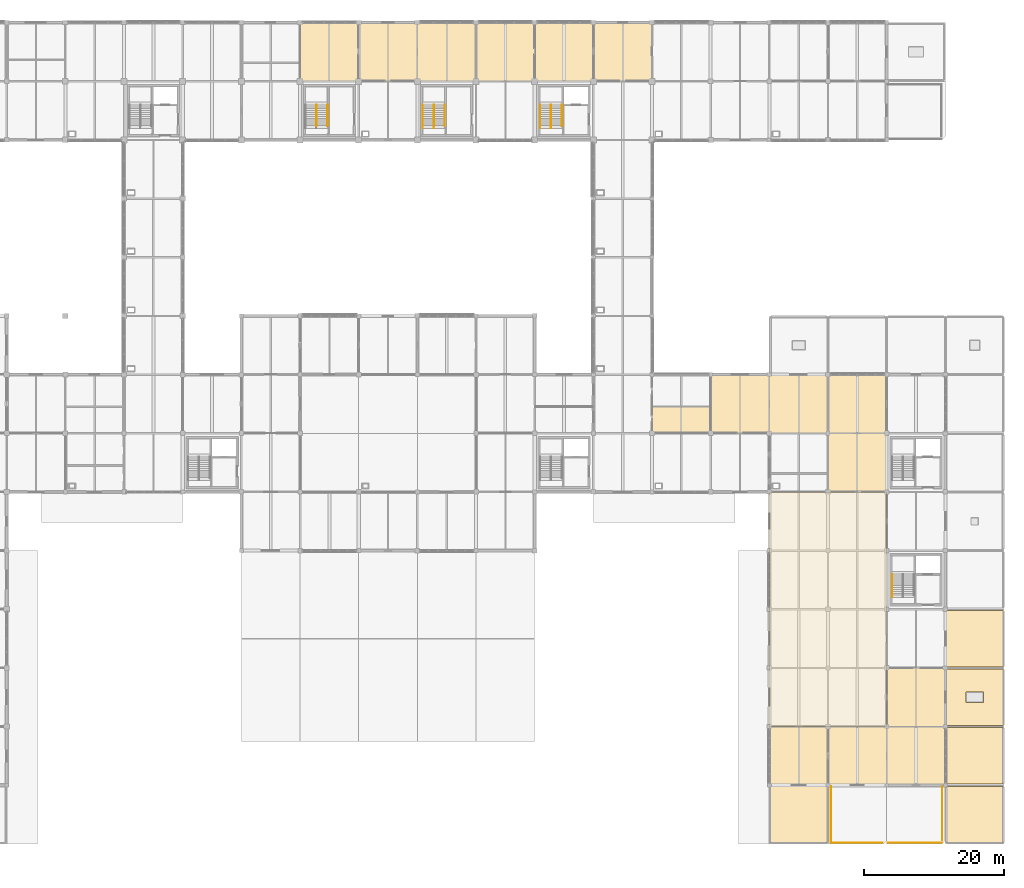
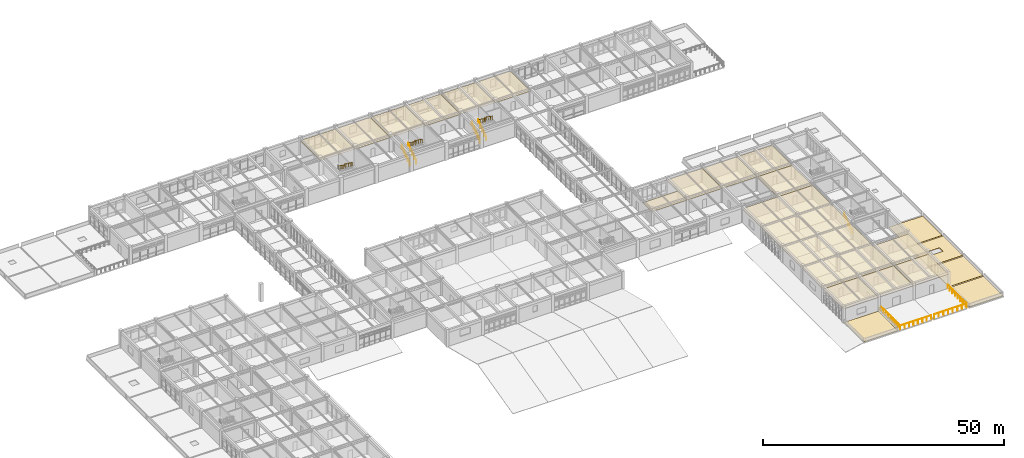
# One storey, part 77 of 78: 21 coverings, 15 railings.
"""IFC4 building model written with IfcOpenShell, lengths in metres."""

from ifc_helpers import new_model, si_unit, direction, frame, origin, origin_2d, place, context, subcontext, project, spatial, polyline, circle, outline, extrude, material, layer, layer_set, type_object, element, save


model = new_model("IFC4")

# Units and contexts
model_context = context("Model", 3, precision=1e-05, world=origin(), true_north=direction((0.0, 1.0)))
body_context = subcontext(model_context, "Body", "Model", "MODEL_VIEW")
ifc_project = project(units=[si_unit("LENGTHUNIT", "METRE"), si_unit("AREAUNIT", "SQUARE_METRE"), si_unit("VOLUMEUNIT", "CUBIC_METRE"), si_unit("PLANEANGLEUNIT", "RADIAN"), si_unit("MASSUNIT", "GRAM", prefix="KILO")], contexts=[model_context])

# Site, building, storey
site_placement = place(None, origin())
site = spatial("IfcSite", under=ifc_project, at=site_placement, CompositionType="ELEMENT")
building_placement = place(site_placement, origin())
building = spatial("IfcBuilding", under=site, at=building_placement, Name="Porcellanite Civic Hall", CompositionType="ELEMENT")
storey_placement = place(building_placement, frame((0.0, 0.0, 10.260009765625)))
storey = spatial("IfcBuildingStorey", under=building, at=storey_placement, Name="L02", CompositionType="ELEMENT", Elevation=10.260009765625)

# Coverings
ifc_material_1 = material(Name="Perforated acoustic mineral-fibre and spotted-gum batten ceiling")
ifc_layer_1 = layer(ifc_material_1, 0.034912109375)
ifc_layer_set_1 = layer_set([ifc_layer_1], Name="Perforated acoustic mineral-fibre and spotted-gum batten ceiling")
covering_type_1 = type_object("IfcCoveringType", Name="COV-CL2", PredefinedType="CEILING", material=ifc_layer_set_1)
covering_1_placement = place(storey_placement, frame((0.0, 0.0, 3.3349609375)))
element("IfcCovering", 1, at=covering_1_placement, inside=storey, type_object=covering_type_1, Name="Acoustic ceiling Parliamentary Research Suite L02-A", PredefinedType="CEILING", context=body_context, shape_type="SweptSolid", body=[
    extrude(outline(polyline([(126.010009765625, 58.81005859375), (134.389892578125, 58.81005859375), (134.389892578125, 62.590087890625), (126.010009765625, 62.590087890625), (126.010009765625, 58.81005859375)])), origin(), (0.0, 0.0, 1.0), 0.034912109375),
])
covering_2_placement = place(storey_placement, frame((0.0, 0.0, 3.3349609375)))
element("IfcCovering", 2, at=covering_2_placement, inside=storey, type_object=covering_type_1, Name="Acoustic ceiling Municipal Infrastructure Office L02-44", PredefinedType="CEILING", context=body_context, shape_type="SweptSolid", body=[
    extrude(outline(polyline([(75.610107421875, 109.2099609375), (83.989990234375, 109.2099609375), (83.989990234375, 117.590087890625), (75.610107421875, 117.590087890625), (75.610107421875, 109.2099609375)])), origin(), (0.0, 0.0, 1.0), 0.034912109375),
])
covering_3_placement = place(storey_placement, frame((0.0, 0.0, 3.3349609375)))
element("IfcCovering", 3, at=covering_3_placement, inside=storey, type_object=covering_type_1, Name="Acoustic ceiling Transport Planning Office L02-47", PredefinedType="CEILING", context=body_context, shape_type="SweptSolid", body=[
    extrude(outline(polyline([(84.010009765625, 109.2099609375), (92.389892578125, 109.2099609375), (92.389892578125, 117.590087890625), (84.010009765625, 117.590087890625), (84.010009765625, 109.2099609375)])), origin(), (0.0, 0.0, 1.0), 0.034912109375),
])
covering_4_placement = place(storey_placement, frame((0.0, 0.0, 3.3349609375)))
element("IfcCovering", 4, at=covering_4_placement, inside=storey, type_object=covering_type_1, Name="Acoustic ceiling Parks and Tropical Forestry Office L02-49", PredefinedType="CEILING", context=body_context, shape_type="SweptSolid", body=[
    extrude(outline(polyline([(92.409912109375, 109.2099609375), (100.7900390625, 109.2099609375), (100.7900390625, 117.590087890625), (92.409912109375, 117.590087890625), (92.409912109375, 109.2099609375)])), origin(), (0.0, 0.0, 1.0), 0.034912109375),
])
covering_5_placement = place(storey_placement, frame((0.0, 0.0, 3.3349609375)))
element("IfcCovering", 5, at=covering_5_placement, inside=storey, type_object=covering_type_1, Name="Acoustic ceiling Parks and Tropical Forestry Office L02-54", PredefinedType="CEILING", context=body_context, shape_type="SweptSolid", body=[
    extrude(outline(polyline([(100.81005859375, 109.2099609375), (109.18994140625, 109.2099609375), (109.18994140625, 117.590087890625), (100.81005859375, 117.590087890625), (100.81005859375, 109.2099609375)])), origin(), (0.0, 0.0, 1.0), 0.034912109375),
])
covering_6_placement = place(storey_placement, frame((0.0, 0.0, 3.3349609375)))
element("IfcCovering", 6, at=covering_6_placement, inside=storey, type_object=covering_type_1, Name="Acoustic ceiling Parks and Tropical Forestry Office L02-55", PredefinedType="CEILING", context=body_context, shape_type="SweptSolid", body=[
    extrude(outline(polyline([(109.2099609375, 109.2099609375), (117.590087890625, 109.2099609375), (117.590087890625, 117.590087890625), (109.2099609375, 117.590087890625), (109.2099609375, 109.2099609375)])), origin(), (0.0, 0.0, 1.0), 0.034912109375),
])
covering_7_placement = place(storey_placement, frame((0.0, 0.0, 3.3349609375)))
element("IfcCovering", 7, at=covering_7_placement, inside=storey, type_object=covering_type_1, Name="Acoustic ceiling Transport Planning Office L02-63", PredefinedType="CEILING", context=body_context, shape_type="SweptSolid", body=[
    extrude(outline(polyline([(117.610107421875, 109.2099609375), (125.989990234375, 109.2099609375), (125.989990234375, 117.590087890625), (117.610107421875, 117.590087890625), (117.610107421875, 109.2099609375)])), origin(), (0.0, 0.0, 1.0), 0.034912109375),
])
covering_8_placement = place(storey_placement, frame((0.0, 0.0, 3.3349609375)))
element("IfcCovering", 8, at=covering_8_placement, inside=storey, type_object=covering_type_1, Name="Acoustic ceiling Constitutional Papers Office L02-67", PredefinedType="CEILING", context=body_context, shape_type="SweptSolid", body=[
    extrude(outline(polyline([(134.409912109375, 58.81005859375), (142.7900390625, 58.81005859375), (142.7900390625, 67.18994140625), (134.409912109375, 67.18994140625), (134.409912109375, 58.81005859375)])), origin(), (0.0, 0.0, 1.0), 0.034912109375),
])
covering_9_placement = place(storey_placement, frame((0.0, 0.0, 3.3349609375)))
element("IfcCovering", 9, at=covering_9_placement, inside=storey, type_object=covering_type_1, Name="Acoustic ceiling Members Research Office L02-69", PredefinedType="CEILING", context=body_context, shape_type="SweptSolid", body=[
    extrude(outline(polyline([(142.81005859375, 8.409912109375), (151.18994140625, 8.409912109375), (151.18994140625, 16.7900390625), (142.81005859375, 16.7900390625), (142.81005859375, 8.409912109375)])), origin(), (0.0, 0.0, 1.0), 0.034912109375),
])
covering_10_placement = place(storey_placement, frame((0.0, 0.0, 3.3349609375)))
element("IfcCovering", 10, at=covering_10_placement, inside=storey, type_object=covering_type_1, Name="Acoustic ceiling Constitutional Papers Office L02-70", PredefinedType="CEILING", context=body_context, shape_type="SweptSolid", body=[
    extrude(outline(polyline([(142.81005859375, 58.81005859375), (151.18994140625, 58.81005859375), (151.18994140625, 67.18994140625), (142.81005859375, 67.18994140625), (142.81005859375, 58.81005859375)])), origin(), (0.0, 0.0, 1.0), 0.034912109375),
])
covering_11_placement = place(storey_placement, frame((0.0, 0.0, 3.3349609375)))
element("IfcCovering", 11, at=covering_11_placement, inside=storey, type_object=covering_type_1, Name="Acoustic ceiling Parliamentary Research Suite L02-73", PredefinedType="CEILING", context=body_context, shape_type="SweptSolid", body=[
    extrude(outline(polyline([(151.2099609375, 8.409912109375), (159.590087890625, 8.409912109375), (159.590087890625, 16.7900390625), (151.2099609375, 16.7900390625), (151.2099609375, 8.409912109375)])), origin(), (0.0, 0.0, 1.0), 0.034912109375),
])
covering_12_placement = place(storey_placement, frame((0.0, 0.0, 3.3349609375)))
element("IfcCovering", 12, at=covering_12_placement, inside=storey, type_object=covering_type_1, Name="Acoustic ceiling Constitutional Papers Office L02-74", PredefinedType="CEILING", context=body_context, shape_type="SweptSolid", body=[
    extrude(outline(polyline([(151.2099609375, 50.409912109375), (159.590087890625, 50.409912109375), (159.590087890625, 58.7900390625), (151.2099609375, 58.7900390625), (151.2099609375, 50.409912109375)])), origin(), (0.0, 0.0, 1.0), 0.034912109375),
])
covering_13_placement = place(storey_placement, frame((0.0, 0.0, 3.3349609375)))
element("IfcCovering", 13, at=covering_13_placement, inside=storey, type_object=covering_type_1, Name="Acoustic ceiling Parliamentary Research Suite L02-75", PredefinedType="CEILING", context=body_context, shape_type="SweptSolid", body=[
    extrude(outline(polyline([(151.2099609375, 58.81005859375), (159.590087890625, 58.81005859375), (159.590087890625, 67.18994140625), (151.2099609375, 67.18994140625), (151.2099609375, 58.81005859375)])), origin(), (0.0, 0.0, 1.0), 0.034912109375),
])
covering_14_placement = place(storey_placement, frame((0.0, 0.0, 3.3349609375)))
element("IfcCovering", 14, at=covering_14_placement, inside=storey, type_object=covering_type_1, Name="Acoustic ceiling Constitutional Papers Office L02-78", PredefinedType="CEILING", context=body_context, shape_type="SweptSolid", body=[
    extrude(outline(polyline([(159.610107421875, 8.409912109375), (167.989990234375, 8.409912109375), (167.989990234375, 16.7900390625), (159.610107421875, 16.7900390625), (159.610107421875, 8.409912109375)])), origin(), (0.0, 0.0, 1.0), 0.034912109375),
])
covering_15_placement = place(storey_placement, frame((0.0, 0.0, 3.3349609375)))
element("IfcCovering", 15, at=covering_15_placement, inside=storey, type_object=covering_type_1, Name="Acoustic ceiling Parliamentary Research Suite L02-79", PredefinedType="CEILING", context=body_context, shape_type="SweptSolid", body=[
    extrude(outline(polyline([(159.610107421875, 16.81005859375), (167.989990234375, 16.81005859375), (167.989990234375, 25.18994140625), (159.610107421875, 25.18994140625), (159.610107421875, 16.81005859375)])), origin(), (0.0, 0.0, 1.0), 0.034912109375),
])
ifc_material_2 = material(Name="Perforated acoustic mineral-fibre and spotted-gum batten ceiling")
ifc_layer_2 = layer(ifc_material_2, 0.044921875)
ifc_layer_set_2 = layer_set([ifc_layer_2], Name="Perforated acoustic mineral-fibre and spotted-gum batten ceiling")
covering_type_2 = type_object("IfcCoveringType", Name="COV-CL3", PredefinedType="CEILING", material=ifc_layer_set_2)
covering_16_placement = place(storey_placement, frame((0.0, 0.0, 3.324951171875)))
element("IfcCovering", 16, at=covering_16_placement, inside=storey, type_object=covering_type_2, Name="Acoustic ceiling Members Library Open Stacks", PredefinedType="CEILING", context=body_context, shape_type="SweptSolid", body=[
    extrude(outline(polyline([(142.81005859375, 16.81005859375), (159.590087890625, 16.81005859375), (159.590087890625, 50.389892578125), (142.81005859375, 50.389892578125), (142.81005859375, 16.81005859375)])), origin(), (0.0, 0.0, 1.0), 0.044921875),
])
ifc_material_3 = material(Name="Insulated light-reflective TPO monsoon roofing membrane")
ifc_layer_3 = layer(ifc_material_3, 0.080078125)
ifc_layer_set_3 = layer_set([ifc_layer_3], Name="Insulated light-reflective TPO monsoon roofing membrane")
covering_type_3 = type_object("IfcCoveringType", Name="COV-RF1", PredefinedType="ROOFING", material=ifc_layer_set_3)
covering_17_placement = place(storey_placement, origin())
element("IfcCovering", 17, at=covering_17_placement, inside=storey, type_object=covering_type_3, Name="Roof membrane L02 21-3", PredefinedType="ROOFING", context=body_context, shape_type="SweptSolid", body=[
    extrude(outline(polyline([(168.14990234375, 16.949951171875), (176.25, 16.949951171875), (176.25, 25.050048828125), (168.14990234375, 25.050048828125), (168.14990234375, 16.949951171875)]), holes=[polyline([(170.949951171875, 20.25), (173.449951171875, 20.25), (173.449951171875, 21.75), (170.949951171875, 21.75), (170.949951171875, 20.25)])]), origin(), (0.0, 0.0, 1.0), 0.080078125),
])
ifc_material_4 = material(Name="Insulated light-reflective TPO monsoon roofing membrane")
ifc_layer_4 = layer(ifc_material_4, 0.070068359375)
ifc_layer_set_4 = layer_set([ifc_layer_4], Name="Insulated light-reflective TPO monsoon roofing membrane")
covering_type_4 = type_object("IfcCoveringType", Name="COV-RF2", PredefinedType="ROOFING", material=ifc_layer_set_4)
covering_18_placement = place(storey_placement, origin())
element("IfcCovering", 18, at=covering_18_placement, inside=storey, type_object=covering_type_4, Name="Roof membrane L02 21-1", PredefinedType="ROOFING", context=body_context, shape_type="SweptSolid", body=[
    extrude(outline(polyline([(168.14990234375, 0.14990234375), (176.25, 0.14990234375), (176.25, 8.25), (168.14990234375, 8.25), (168.14990234375, 0.14990234375)])), origin(), (0.0, 0.0, 1.0), 0.070068359375),
])
covering_19_placement = place(storey_placement, origin())
element("IfcCovering", 19, at=covering_19_placement, inside=storey, type_object=covering_type_4, Name="Roof membrane L02 21-4", PredefinedType="ROOFING", context=body_context, shape_type="SweptSolid", body=[
    extrude(outline(polyline([(168.14990234375, 25.35009765625), (176.25, 25.35009765625), (176.25, 33.449951171875), (168.14990234375, 33.449951171875), (168.14990234375, 25.35009765625)])), origin(), (0.0, 0.0, 1.0), 0.070068359375),
])
ifc_material_5 = material(Name="Insulated light-reflective TPO monsoon roofing membrane")
ifc_layer_5 = layer(ifc_material_5, 0.06005859375)
ifc_layer_set_5 = layer_set([ifc_layer_5], Name="Insulated light-reflective TPO monsoon roofing membrane")
covering_type_5 = type_object("IfcCoveringType", Name="COV-RF3", PredefinedType="ROOFING", material=ifc_layer_set_5)
covering_20_placement = place(storey_placement, origin())
element("IfcCovering", 20, at=covering_20_placement, inside=storey, type_object=covering_type_5, Name="Roof membrane L02 18-1", PredefinedType="ROOFING", context=body_context, shape_type="SweptSolid", body=[
    extrude(outline(polyline([(142.949951171875, 0.14990234375), (151.050048828125, 0.14990234375), (151.050048828125, 8.25), (142.949951171875, 8.25), (142.949951171875, 0.14990234375)])), origin(), (0.0, 0.0, 1.0), 0.06005859375),
])
covering_21_placement = place(storey_placement, origin())
element("IfcCovering", 21, at=covering_21_placement, inside=storey, type_object=covering_type_5, Name="Roof membrane L02 21-2", PredefinedType="ROOFING", context=body_context, shape_type="SweptSolid", body=[
    extrude(outline(polyline([(168.14990234375, 8.550048828125), (176.25, 8.550048828125), (176.25, 16.64990234375), (168.14990234375, 16.64990234375), (168.14990234375, 8.550048828125)])), origin(), (0.0, 0.0, 1.0), 0.06005859375),
])

# Railings
ifc_material_6 = material(Name="Stainless steel 316", Category="steel")
railing_type_1 = type_object("IfcRailingType", Name="RL-BAL112", PredefinedType="BALUSTRADE", material=ifc_material_6)
railing_1_placement = place(storey_placement, frame((151.64990234375, 0.159912109375, 0.0)))
element("IfcRailing", 22, at=railing_1_placement, inside=storey, type_object=railing_type_1, Name="Terrace balustrade L02 S 19-1", PredefinedType="BALUSTRADE", context=body_context, shape_type="SweptSolid", body=[
    extrude(circle(Radius=0.02490234375, at=origin_2d()), frame((0.0, 0.0, 1.09521484375), z_axis=(1.0, 0.0, 0.0), x_axis=(0.0, 1.0, 0.0)), (0.0, 0.0, 1.0), 7.400146484375),
    extrude(circle(Radius=0.02197265625, at=origin_2d()), origin(), (0.0, 0.0, 1.0), 1.070068359375),
    extrude(circle(Radius=0.02197265625, at=origin_2d()), frame((1.05712890625, 0.0, 0.0)), (0.0, 0.0, 1.0), 1.070068359375),
    extrude(circle(Radius=0.02197265625, at=origin_2d()), frame((2.1142578125, 0.0, 0.0)), (0.0, 0.0, 1.0), 1.070068359375),
    extrude(circle(Radius=0.02197265625, at=origin_2d()), frame((3.17138671875, 0.0, 0.0)), (0.0, 0.0, 1.0), 1.070068359375),
    extrude(circle(Radius=0.02197265625, at=origin_2d()), frame((4.228759765625, 0.0, 0.0)), (0.0, 0.0, 1.0), 1.070068359375),
    extrude(circle(Radius=0.02197265625, at=origin_2d()), frame((5.285888671875, 0.0, 0.0)), (0.0, 0.0, 1.0), 1.070068359375),
    extrude(circle(Radius=0.02197265625, at=origin_2d()), frame((6.343017578125, 0.0, 0.0)), (0.0, 0.0, 1.0), 1.070068359375),
    extrude(circle(Radius=0.02197265625, at=origin_2d()), frame((7.400146484375, 0.0, 0.0)), (0.0, 0.0, 1.0), 1.070068359375),
])
railing_2_placement = place(storey_placement, frame((151.64990234375, 0.159912109375, 0.0)))
element("IfcRailing", 23, at=railing_2_placement, inside=storey, type_object=railing_type_1, Name="Terrace balustrade L02 W 19-1", PredefinedType="BALUSTRADE", context=body_context, shape_type="SweptSolid", body=[
    extrude(circle(Radius=0.02490234375, at=origin_2d()), frame((0.0, 0.0, 1.09521484375), z_axis=(0.0, 1.0, 0.0), x_axis=(-1.0, 0.0, 0.0)), (0.0, 0.0, 1.0), 8.080078125),
    extrude(circle(Radius=0.02197265625, at=origin_2d()), origin(), (0.0, 0.0, 1.0), 1.070068359375),
    extrude(circle(Radius=0.02197265625, at=origin_2d()), frame((0.0, 1.010009765625, 0.0)), (0.0, 0.0, 1.0), 1.070068359375),
    extrude(circle(Radius=0.02197265625, at=origin_2d()), frame((0.0, 2.02001953125, 0.0)), (0.0, 0.0, 1.0), 1.070068359375),
    extrude(circle(Radius=0.02197265625, at=origin_2d()), frame((0.0, 3.030029296875, 0.0)), (0.0, 0.0, 1.0), 1.070068359375),
    extrude(circle(Radius=0.02197265625, at=origin_2d()), frame((0.0, 4.0400390625, 0.0)), (0.0, 0.0, 1.0), 1.070068359375),
    extrude(circle(Radius=0.02197265625, at=origin_2d()), frame((0.0, 5.050048828125, 0.0)), (0.0, 0.0, 1.0), 1.070068359375),
    extrude(circle(Radius=0.02197265625, at=origin_2d()), frame((0.0, 6.06005859375, 0.0)), (0.0, 0.0, 1.0), 1.070068359375),
    extrude(circle(Radius=0.02197265625, at=origin_2d()), frame((0.0, 7.070068359375, 0.0)), (0.0, 0.0, 1.0), 1.070068359375),
    extrude(circle(Radius=0.02197265625, at=origin_2d()), frame((0.0, 8.080078125, 0.0)), (0.0, 0.0, 1.0), 1.070068359375),
])
ifc_material_7 = material(Name="Brushed stainless steel 316", Category="steel")
railing_type_2 = type_object("IfcRailingType", Name="RL-HR920", PredefinedType="HANDRAIL", material=ifc_material_7)
railing_3_placement = place(storey_placement, frame((109.985107421875, 102.52490234375, 0.0)))
element("IfcRailing", 24, at=railing_3_placement, inside=storey, type_object=railing_type_2, Name="Stair handrail ST-04 L02 1", PredefinedType="HANDRAIL", context=body_context, shape_type="SweptSolid", body=[
    extrude(circle(Radius=0.02197265625, at=origin_2d()), frame((0.0, 0.0, 0.89794921875), z_axis=(0.0, 0.815726678323, 0.578437538782), x_axis=(-1.0, 0.0, 0.0)), (0.0, 0.0, 1.0), 4.045654296875),
    extrude(circle(Radius=0.01904296875, at=origin_2d()), origin(), (0.0, 0.0, 1.0), 0.8759765625),
    extrude(circle(Radius=0.01904296875, at=origin_2d()), frame((0.0, 0.824951171875, 0.5849609375)), (0.0, 0.0, 1.0), 0.8759765625),
    extrude(circle(Radius=0.01904296875, at=origin_2d()), frame((0.0, 1.64990234375, 1.169921875)), (0.0, 0.0, 1.0), 0.8759765625),
    extrude(circle(Radius=0.01904296875, at=origin_2d()), frame((0.0, 2.47509765625, 1.755126953125)), (0.0, 0.0, 1.0), 0.8759765625),
    extrude(circle(Radius=0.01904296875, at=origin_2d()), frame((0.0, 3.300048828125, 2.340087890625)), (0.0, 0.0, 1.0), 0.8759765625),
])
railing_4_placement = place(storey_placement, frame((111.56494140625, 105.824951171875, 2.340087890625)))
element("IfcRailing", 25, at=railing_4_placement, inside=storey, type_object=railing_type_2, Name="Stair handrail ST-04 L02 3", PredefinedType="HANDRAIL", context=body_context, shape_type="SweptSolid", body=[
    extrude(circle(Radius=0.02197265625, at=origin_2d()), frame((0.0, 0.0, 0.89794921875), z_axis=(0.0, -0.813826661234, 0.581107705564), x_axis=(1.0, 0.0, 0.0)), (0.0, 0.0, 1.0), 3.716796875),
    extrude(circle(Radius=0.01904296875, at=origin_2d()), origin(), (0.0, 0.0, 1.0), 0.8759765625),
    extrude(circle(Radius=0.01904296875, at=origin_2d()), frame((0.0, -0.75634765625, 0.5400390625)), (0.0, 0.0, 1.0), 0.8759765625),
    extrude(circle(Radius=0.01904296875, at=origin_2d()), frame((0.0, -1.512451171875, 1.080078125)), (0.0, 0.0, 1.0), 0.8759765625),
    extrude(circle(Radius=0.01904296875, at=origin_2d()), frame((0.0, -2.2685546875, 1.619873046875)), (0.0, 0.0, 1.0), 0.8759765625),
    extrude(circle(Radius=0.01904296875, at=origin_2d()), frame((0.0, -3.02490234375, 2.159912109375)), (0.0, 0.0, 1.0), 0.8759765625),
])
railing_5_placement = place(storey_placement, frame((160.385009765625, 35.324951171875, 0.0)))
element("IfcRailing", 26, at=railing_5_placement, inside=storey, type_object=railing_type_2, Name="Stair handrail ST-07 L02 1", PredefinedType="HANDRAIL", context=body_context, shape_type="SweptSolid", body=[
    extrude(circle(Radius=0.02197265625, at=origin_2d()), frame((0.0, 0.0, 0.89794921875), z_axis=(0.0, 0.815726678323, 0.578437538782), x_axis=(-1.0, 0.0, 0.0)), (0.0, 0.0, 1.0), 4.045654296875),
    extrude(circle(Radius=0.01904296875, at=origin_2d()), origin(), (0.0, 0.0, 1.0), 0.8759765625),
    extrude(circle(Radius=0.01904296875, at=origin_2d()), frame((0.0, 0.824951171875, 0.5849609375)), (0.0, 0.0, 1.0), 0.8759765625),
    extrude(circle(Radius=0.01904296875, at=origin_2d()), frame((0.0, 1.64990234375, 1.169921875)), (0.0, 0.0, 1.0), 0.8759765625),
    extrude(circle(Radius=0.01904296875, at=origin_2d()), frame((0.0, 2.47509765625, 1.755126953125)), (0.0, 0.0, 1.0), 0.8759765625),
    extrude(circle(Radius=0.01904296875, at=origin_2d()), frame((0.0, 3.300048828125, 2.340087890625)), (0.0, 0.0, 1.0), 0.8759765625),
])
railing_6_placement = place(storey_placement, frame((77.965087890625, 105.824951171875, 2.340087890625)))
element("IfcRailing", 27, at=railing_6_placement, inside=storey, type_object=railing_type_2, Name="Stair handrail ST-09 L02 3", PredefinedType="HANDRAIL", context=body_context, shape_type="SweptSolid", body=[
    extrude(circle(Radius=0.02197265625, at=origin_2d()), frame((0.0, 0.0, 0.89794921875), z_axis=(0.0, -0.813826661234, 0.581107705564), x_axis=(1.0, 0.0, 0.0)), (0.0, 0.0, 1.0), 3.716796875),
    extrude(circle(Radius=0.01904296875, at=origin_2d()), origin(), (0.0, 0.0, 1.0), 0.8759765625),
    extrude(circle(Radius=0.01904296875, at=origin_2d()), frame((0.0, -0.75634765625, 0.5400390625)), (0.0, 0.0, 1.0), 0.8759765625),
    extrude(circle(Radius=0.01904296875, at=origin_2d()), frame((0.0, -1.512451171875, 1.080078125)), (0.0, 0.0, 1.0), 0.8759765625),
    extrude(circle(Radius=0.01904296875, at=origin_2d()), frame((0.0, -2.2685546875, 1.619873046875)), (0.0, 0.0, 1.0), 0.8759765625),
    extrude(circle(Radius=0.01904296875, at=origin_2d()), frame((0.0, -3.02490234375, 2.159912109375)), (0.0, 0.0, 1.0), 0.8759765625),
])
railing_7_placement = place(storey_placement, frame((93.18505859375, 102.52490234375, 0.0)))
element("IfcRailing", 28, at=railing_7_placement, inside=storey, type_object=railing_type_2, Name="Stair handrail ST-10 L02 1", PredefinedType="HANDRAIL", context=body_context, shape_type="SweptSolid", body=[
    extrude(circle(Radius=0.02197265625, at=origin_2d()), frame((0.0, 0.0, 0.89794921875), z_axis=(0.0, 0.815726678323, 0.578437538782), x_axis=(-1.0, 0.0, 0.0)), (0.0, 0.0, 1.0), 4.045654296875),
    extrude(circle(Radius=0.01904296875, at=origin_2d()), origin(), (0.0, 0.0, 1.0), 0.8759765625),
    extrude(circle(Radius=0.01904296875, at=origin_2d()), frame((0.0, 0.824951171875, 0.5849609375)), (0.0, 0.0, 1.0), 0.8759765625),
    extrude(circle(Radius=0.01904296875, at=origin_2d()), frame((0.0, 1.64990234375, 1.169921875)), (0.0, 0.0, 1.0), 0.8759765625),
    extrude(circle(Radius=0.01904296875, at=origin_2d()), frame((0.0, 2.47509765625, 1.755126953125)), (0.0, 0.0, 1.0), 0.8759765625),
    extrude(circle(Radius=0.01904296875, at=origin_2d()), frame((0.0, 3.300048828125, 2.340087890625)), (0.0, 0.0, 1.0), 0.8759765625),
])
railing_8_placement = place(storey_placement, frame((94.764892578125, 105.824951171875, 2.340087890625)))
element("IfcRailing", 29, at=railing_8_placement, inside=storey, type_object=railing_type_2, Name="Stair handrail ST-10 L02 3", PredefinedType="HANDRAIL", context=body_context, shape_type="SweptSolid", body=[
    extrude(circle(Radius=0.02197265625, at=origin_2d()), frame((0.0, 0.0, 0.89794921875), z_axis=(0.0, -0.813826661234, 0.581107705564), x_axis=(1.0, 0.0, 0.0)), (0.0, 0.0, 1.0), 3.716796875),
    extrude(circle(Radius=0.01904296875, at=origin_2d()), origin(), (0.0, 0.0, 1.0), 0.8759765625),
    extrude(circle(Radius=0.01904296875, at=origin_2d()), frame((0.0, -0.75634765625, 0.5400390625)), (0.0, 0.0, 1.0), 0.8759765625),
    extrude(circle(Radius=0.01904296875, at=origin_2d()), frame((0.0, -1.512451171875, 1.080078125)), (0.0, 0.0, 1.0), 0.8759765625),
    extrude(circle(Radius=0.01904296875, at=origin_2d()), frame((0.0, -2.2685546875, 1.619873046875)), (0.0, 0.0, 1.0), 0.8759765625),
    extrude(circle(Radius=0.01904296875, at=origin_2d()), frame((0.0, -3.02490234375, 2.159912109375)), (0.0, 0.0, 1.0), 0.8759765625),
])
ifc_material_8 = material(Name="Brushed stainless steel 316", Category="steel")
railing_type_3 = type_object("IfcRailingType", Name="RL-HR950", PredefinedType="HANDRAIL", material=ifc_material_8)
railing_9_placement = place(storey_placement, frame((111.534912109375, 102.52490234375, 0.0)))
element("IfcRailing", 30, at=railing_9_placement, inside=storey, type_object=railing_type_3, Name="Stair handrail ST-04 L02 2", PredefinedType="HANDRAIL", context=body_context, shape_type="SweptSolid", body=[
    extrude(circle(Radius=0.02197265625, at=origin_2d()), frame((0.0, 0.0, 0.927978515625), z_axis=(0.0, 0.815726678323, 0.578437538782), x_axis=(-1.0, 0.0, 0.0)), (0.0, 0.0, 1.0), 4.045654296875),
    extrude(circle(Radius=0.01904296875, at=origin_2d()), origin(), (0.0, 0.0, 1.0), 0.906005859375),
    extrude(circle(Radius=0.01904296875, at=origin_2d()), frame((0.0, 0.824951171875, 0.5849609375)), (0.0, 0.0, 1.0), 0.906005859375),
    extrude(circle(Radius=0.01904296875, at=origin_2d()), frame((0.0, 1.64990234375, 1.169921875)), (0.0, 0.0, 1.0), 0.906005859375),
    extrude(circle(Radius=0.01904296875, at=origin_2d()), frame((0.0, 2.47509765625, 1.755126953125)), (0.0, 0.0, 1.0), 0.906005859375),
    extrude(circle(Radius=0.01904296875, at=origin_2d()), frame((0.0, 3.300048828125, 2.340087890625)), (0.0, 0.0, 1.0), 0.906005859375),
])
for number, where, name in (
    (31, (113.114990234375, 105.824951171875, 2.340087890625), "Stair handrail ST-04 L02 4"),
    (32, (79.514892578125, 105.824951171875, 2.340087890625), "Stair handrail ST-09 L02 4"),
):
    element("IfcRailing", number, at=place(storey_placement, frame(where)), inside=storey, type_object=railing_type_3, Name=name, PredefinedType="HANDRAIL", context=body_context, shape_type="SweptSolid", body=[
        extrude(circle(Radius=0.02197265625, at=origin_2d()), frame((0.0, 0.0, 0.927978515625), z_axis=(0.0, -0.813826661234, 0.581107705564), x_axis=(1.0, 0.0, 0.0)), (0.0, 0.0, 1.0), 3.716796875),
        extrude(circle(Radius=0.01904296875, at=origin_2d()), origin(), (0.0, 0.0, 1.0), 0.906005859375),
        extrude(circle(Radius=0.01904296875, at=origin_2d()), frame((0.0, -0.75634765625, 0.5400390625)), (0.0, 0.0, 1.0), 0.906005859375),
        extrude(circle(Radius=0.01904296875, at=origin_2d()), frame((0.0, -1.512451171875, 1.080078125)), (0.0, 0.0, 1.0), 0.906005859375),
        extrude(circle(Radius=0.01904296875, at=origin_2d()), frame((0.0, -2.2685546875, 1.619873046875)), (0.0, 0.0, 1.0), 0.906005859375),
        extrude(circle(Radius=0.01904296875, at=origin_2d()), frame((0.0, -3.02490234375, 2.159912109375)), (0.0, 0.0, 1.0), 0.906005859375),
    ])
railing_10_placement = place(storey_placement, frame((94.735107421875, 102.52490234375, 0.0)))
element("IfcRailing", 33, at=railing_10_placement, inside=storey, type_object=railing_type_3, Name="Stair handrail ST-10 L02 2", PredefinedType="HANDRAIL", context=body_context, shape_type="SweptSolid", body=[
    extrude(circle(Radius=0.02197265625, at=origin_2d()), frame((0.0, 0.0, 0.927978515625), z_axis=(0.0, 0.815726678323, 0.578437538782), x_axis=(-1.0, 0.0, 0.0)), (0.0, 0.0, 1.0), 4.045654296875),
    extrude(circle(Radius=0.01904296875, at=origin_2d()), origin(), (0.0, 0.0, 1.0), 0.906005859375),
    extrude(circle(Radius=0.01904296875, at=origin_2d()), frame((0.0, 0.824951171875, 0.5849609375)), (0.0, 0.0, 1.0), 0.906005859375),
    extrude(circle(Radius=0.01904296875, at=origin_2d()), frame((0.0, 1.64990234375, 1.169921875)), (0.0, 0.0, 1.0), 0.906005859375),
    extrude(circle(Radius=0.01904296875, at=origin_2d()), frame((0.0, 2.47509765625, 1.755126953125)), (0.0, 0.0, 1.0), 0.906005859375),
    extrude(circle(Radius=0.01904296875, at=origin_2d()), frame((0.0, 3.300048828125, 2.340087890625)), (0.0, 0.0, 1.0), 0.906005859375),
])
railing_11_placement = place(storey_placement, frame((96.31494140625, 105.824951171875, 2.340087890625)))
element("IfcRailing", 34, at=railing_11_placement, inside=storey, type_object=railing_type_3, Name="Stair handrail ST-10 L02 4", PredefinedType="HANDRAIL", context=body_context, shape_type="SweptSolid", body=[
    extrude(circle(Radius=0.02197265625, at=origin_2d()), frame((0.0, 0.0, 0.927978515625), z_axis=(0.0, -0.813826661234, 0.581107705564), x_axis=(1.0, 0.0, 0.0)), (0.0, 0.0, 1.0), 3.716796875),
    extrude(circle(Radius=0.01904296875, at=origin_2d()), origin(), (0.0, 0.0, 1.0), 0.906005859375),
    extrude(circle(Radius=0.01904296875, at=origin_2d()), frame((0.0, -0.75634765625, 0.5400390625)), (0.0, 0.0, 1.0), 0.906005859375),
    extrude(circle(Radius=0.01904296875, at=origin_2d()), frame((0.0, -1.512451171875, 1.080078125)), (0.0, 0.0, 1.0), 0.906005859375),
    extrude(circle(Radius=0.01904296875, at=origin_2d()), frame((0.0, -2.2685546875, 1.619873046875)), (0.0, 0.0, 1.0), 0.906005859375),
    extrude(circle(Radius=0.01904296875, at=origin_2d()), frame((0.0, -3.02490234375, 2.159912109375)), (0.0, 0.0, 1.0), 0.906005859375),
])
ifc_material_9 = material(Name="Anodised aluminium 6063-T6", Category="aluminium")
railing_type_4 = type_object("IfcRailingType", Name="RL-TER115", PredefinedType="BALUSTRADE", material=ifc_material_9)
railing_12_placement = place(storey_placement, frame((159.760009765625, 0.159912109375, 0.0)))
element("IfcRailing", 35, at=railing_12_placement, inside=storey, type_object=railing_type_4, Name="Terrace balustrade L02 S 20-1", PredefinedType="BALUSTRADE", context=body_context, shape_type="SweptSolid", body=[
    extrude(circle(Radius=0.02490234375, at=origin_2d()), frame((0.0, 0.0, 1.125), z_axis=(1.0, 0.0, 0.0), x_axis=(0.0, 1.0, 0.0)), (0.0, 0.0, 1.0), 7.7900390625),
    extrude(circle(Radius=0.02197265625, at=origin_2d()), origin(), (0.0, 0.0, 1.0), 1.099853515625),
    extrude(circle(Radius=0.02197265625, at=origin_2d()), frame((1.11279296875, 0.0, 0.0)), (0.0, 0.0, 1.0), 1.099853515625),
    extrude(circle(Radius=0.02197265625, at=origin_2d()), frame((2.225830078125, 0.0, 0.0)), (0.0, 0.0, 1.0), 1.099853515625),
    extrude(circle(Radius=0.02197265625, at=origin_2d()), frame((3.338623046875, 0.0, 0.0)), (0.0, 0.0, 1.0), 1.099853515625),
    extrude(circle(Radius=0.02197265625, at=origin_2d()), frame((4.451416015625, 0.0, 0.0)), (0.0, 0.0, 1.0), 1.099853515625),
    extrude(circle(Radius=0.02197265625, at=origin_2d()), frame((5.564208984375, 0.0, 0.0)), (0.0, 0.0, 1.0), 1.099853515625),
    extrude(circle(Radius=0.02197265625, at=origin_2d()), frame((6.67724609375, 0.0, 0.0)), (0.0, 0.0, 1.0), 1.099853515625),
    extrude(circle(Radius=0.02197265625, at=origin_2d()), frame((7.7900390625, 0.0, 0.0)), (0.0, 0.0, 1.0), 1.099853515625),
])
railing_13_placement = place(storey_placement, frame((167.550048828125, 0.550048828125, 0.0)))
element("IfcRailing", 36, at=railing_13_placement, inside=storey, type_object=railing_type_4, Name="Terrace balustrade L02 E 20-1", PredefinedType="BALUSTRADE", context=body_context, shape_type="SweptSolid", body=[
    extrude(circle(Radius=0.02490234375, at=origin_2d()), frame((0.0, 0.0, 1.125), z_axis=(0.0, 1.0, 0.0), x_axis=(-1.0, 0.0, 0.0)), (0.0, 0.0, 1.0), 7.68994140625),
    extrude(circle(Radius=0.02197265625, at=origin_2d()), origin(), (0.0, 0.0, 1.0), 1.099853515625),
    extrude(circle(Radius=0.02197265625, at=origin_2d()), frame((0.0, 1.0986328125, 0.0)), (0.0, 0.0, 1.0), 1.099853515625),
    extrude(circle(Radius=0.02197265625, at=origin_2d()), frame((0.0, 2.197021484375, 0.0)), (0.0, 0.0, 1.0), 1.099853515625),
    extrude(circle(Radius=0.02197265625, at=origin_2d()), frame((0.0, 3.295654296875, 0.0)), (0.0, 0.0, 1.0), 1.099853515625),
    extrude(circle(Radius=0.02197265625, at=origin_2d()), frame((0.0, 4.394287109375, 0.0)), (0.0, 0.0, 1.0), 1.099853515625),
    extrude(circle(Radius=0.02197265625, at=origin_2d()), frame((0.0, 5.492919921875, 0.0)), (0.0, 0.0, 1.0), 1.099853515625),
    extrude(circle(Radius=0.02197265625, at=origin_2d()), frame((0.0, 6.59130859375, 0.0)), (0.0, 0.0, 1.0), 1.099853515625),
    extrude(circle(Radius=0.02197265625, at=origin_2d()), frame((0.0, 7.68994140625, 0.0)), (0.0, 0.0, 1.0), 1.099853515625),
])

save(model, "model.ifc")
